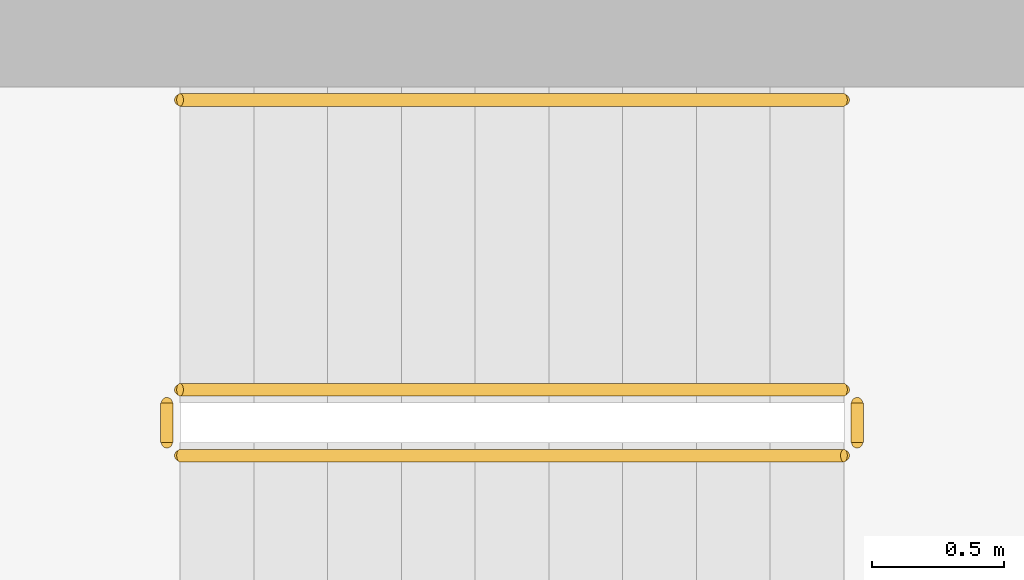
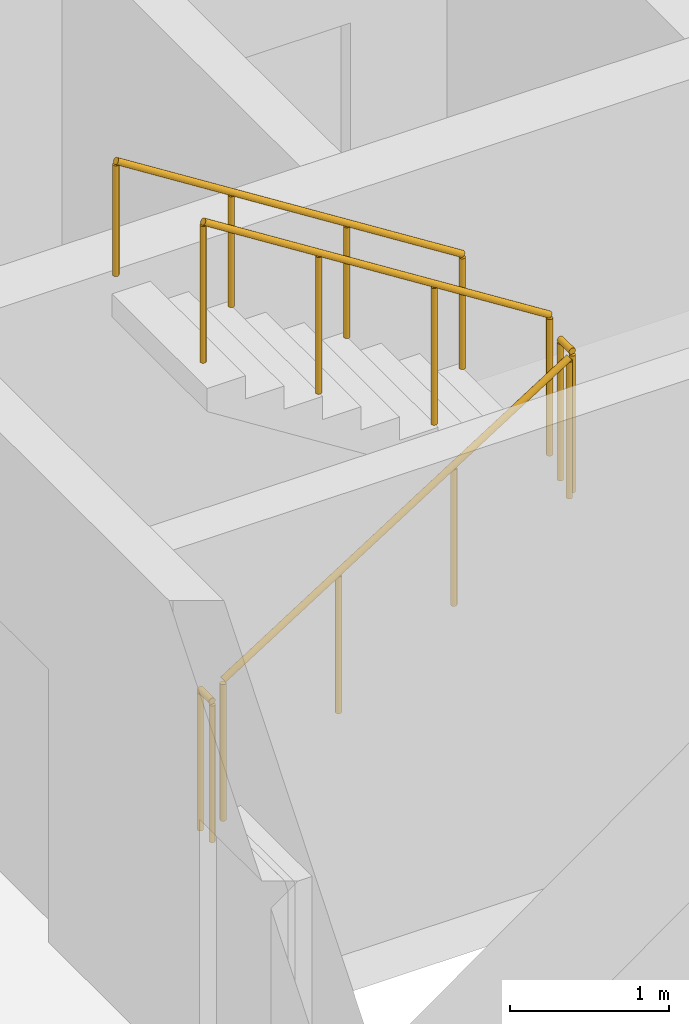
# One storey, part 12 of 14: 5 railings.
"""IFC4 building model written with IfcOpenShell, lengths in metres."""

from ifc_helpers import new_model, si_unit, direction, frame, origin, origin_2d, place, context, subcontext, project, spatial, circle, extrude, material, type_object, element, save


model = new_model("IFC4")

# Units and contexts
model_context = context("Model", 3, precision=1e-05, world=origin(), true_north=direction((0.0, 1.0)))
body_context = subcontext(model_context, "Body", "Model", "MODEL_VIEW")
ifc_project = project(units=[si_unit("LENGTHUNIT", "METRE"), si_unit("AREAUNIT", "SQUARE_METRE"), si_unit("VOLUMEUNIT", "CUBIC_METRE"), si_unit("PLANEANGLEUNIT", "RADIAN"), si_unit("MASSUNIT", "GRAM", prefix="KILO")], contexts=[model_context])

# Site, building, storey
site_placement = place(None, origin())
site = spatial("IfcSite", under=ifc_project, at=site_placement, CompositionType="ELEMENT")
building_placement = place(site_placement, origin())
building = spatial("IfcBuilding", under=site, at=building_placement, Name="Ostrand Prow Hotel Tower", CompositionType="ELEMENT")
storey_placement = place(building_placement, frame((0.0, 0.0, 296.300048828125)))
storey = spatial("IfcBuildingStorey", under=building, at=storey_placement, Name="L75", CompositionType="ELEMENT", Elevation=296.300048828125)

# Railings
ifc_material_1 = material(Name="Painted steel", Category="steel")
railing_type_1 = type_object("IfcRailingType", Name="Stair guard 1100", PredefinedType="GUARDRAIL", material=ifc_material_1)
railing_1_placement = place(storey_placement, frame((57.199951171875, -11.75, 0.177490234375)))
element("IfcRailing", 1, at=railing_1_placement, inside=storey, type_object=railing_type_1, Name="L75 ST2C stair guard 1", PredefinedType="GUARDRAIL", context=body_context, shape_type="SweptSolid", body=[
    extrude(circle(Radius=0.02392578125, at=origin_2d()), frame((0.0, 0.0, 1.076171875), z_axis=(0.84460694969, 0.0, 0.535386869969), x_axis=(0.0, 1.0, 0.0)), (0.0, 0.0, 1.0), 2.983642578125),
    extrude(circle(Radius=0.02099609375, at=origin_2d()), origin(), (0.0, 0.0, 1.0), 1.052001953125),
    extrude(circle(Radius=0.02099609375, at=origin_2d()), frame((0.840087890625, 0.0, 0.532470703125)), (0.0, 0.0, 1.0), 1.052001953125),
    extrude(circle(Radius=0.02099609375, at=origin_2d()), frame((1.679931640625, 0.0, 1.06494140625)), (0.0, 0.0, 1.0), 1.052001953125),
    extrude(circle(Radius=0.02099609375, at=origin_2d()), frame((2.52001953125, 0.0, 1.597412109375)), (0.0, 0.0, 1.0), 1.052001953125),
])
railing_2_placement = place(storey_placement, frame((59.77001953125, -11.699951171875, 1.77490234375)))
element("IfcRailing", 2, at=railing_2_placement, inside=storey, type_object=railing_type_1, Name="L75 ST2C stair guard 2", PredefinedType="GUARDRAIL", context=body_context, shape_type="SweptSolid", body=[
    extrude(circle(Radius=0.02392578125, at=origin_2d()), frame((0.0, 0.0, 1.076171875), z_axis=(0.0, 1.0, 0.0), x_axis=(-1.0, 0.0, 0.0)), (0.0, 0.0, 1.0), 0.14990234375),
    extrude(circle(Radius=0.02099609375, at=origin_2d()), origin(), (0.0, 0.0, 1.0), 1.052001953125),
    extrude(circle(Radius=0.02099609375, at=origin_2d()), frame((0.0, 0.14990234375, 0.0)), (0.0, 0.0, 1.0), 1.052001953125),
])
railing_3_placement = place(storey_placement, frame((59.719970703125, -11.5, 1.952392578125)))
element("IfcRailing", 3, at=railing_3_placement, inside=storey, type_object=railing_type_1, Name="L75 ST2C stair guard 3", PredefinedType="GUARDRAIL", context=body_context, shape_type="SweptSolid", body=[
    extrude(circle(Radius=0.02392578125, at=origin_2d()), frame((0.0, 0.0, 1.076171875), z_axis=(-0.84456994832, 0.0, 0.535445237532), x_axis=(0.0, -1.0, 0.0)), (0.0, 0.0, 1.0), 2.98388671875),
    extrude(circle(Radius=0.02099609375, at=origin_2d()), origin(), (0.0, 0.0, 1.0), 1.052001953125),
    extrude(circle(Radius=0.02099609375, at=origin_2d()), frame((-0.840087890625, 0.0, 0.532470703125)), (0.0, 0.0, 1.0), 1.052001953125),
    extrude(circle(Radius=0.02099609375, at=origin_2d()), frame((-1.679931640625, 0.0, 1.065185546875)), (0.0, 0.0, 1.0), 1.052001953125),
    extrude(circle(Radius=0.02099609375, at=origin_2d()), frame((-2.52001953125, 0.0, 1.59765625)), (0.0, 0.0, 1.0), 1.052001953125),
])
railing_4_placement = place(storey_placement, frame((57.14990234375, -11.699951171875, 0.0)))
element("IfcRailing", 4, at=railing_4_placement, inside=storey, type_object=railing_type_1, Name="L75 ST2C stair guard 4", PredefinedType="GUARDRAIL", context=body_context, shape_type="SweptSolid", body=[
    extrude(circle(Radius=0.02392578125, at=origin_2d()), frame((0.0, 0.0, 1.076171875), z_axis=(0.0, 1.0, 0.0), x_axis=(-1.0, 0.0, 0.0)), (0.0, 0.0, 1.0), 0.14990234375),
    extrude(circle(Radius=0.02099609375, at=origin_2d()), origin(), (0.0, 0.0, 1.0), 1.052001953125),
    extrude(circle(Radius=0.02099609375, at=origin_2d()), frame((0.0, 0.14990234375, 0.0)), (0.0, 0.0, 1.0), 1.052001953125),
])
ifc_material_2 = material(Name="Stainless steel", Category="steel")
railing_type_2 = type_object("IfcRailingType", Name="Stair handrail 900", PredefinedType="HANDRAIL", material=ifc_material_2)
railing_5_placement = place(storey_placement, frame((59.719970703125, -10.39990234375, 1.952392578125)))
element("IfcRailing", 5, at=railing_5_placement, inside=storey, type_object=railing_type_2, Name="L75 ST2C stair handrail 2", PredefinedType="HANDRAIL", context=body_context, shape_type="SweptSolid", body=[
    extrude(circle(Radius=0.02392578125, at=origin_2d()), frame((0.0, 0.0, 0.8759765625), z_axis=(-0.84456994832, 0.0, 0.535445237532), x_axis=(0.0, -1.0, 0.0)), (0.0, 0.0, 1.0), 2.98388671875),
    extrude(circle(Radius=0.02099609375, at=origin_2d()), origin(), (0.0, 0.0, 1.0), 0.851806640625),
    extrude(circle(Radius=0.02099609375, at=origin_2d()), frame((-0.840087890625, 0.0, 0.532470703125)), (0.0, 0.0, 1.0), 0.851806640625),
    extrude(circle(Radius=0.02099609375, at=origin_2d()), frame((-1.679931640625, 0.0, 1.065185546875)), (0.0, 0.0, 1.0), 0.851806640625),
    extrude(circle(Radius=0.02099609375, at=origin_2d()), frame((-2.52001953125, 0.0, 1.59765625)), (0.0, 0.0, 1.0), 0.851806640625),
])

save(model, "model.ifc")
